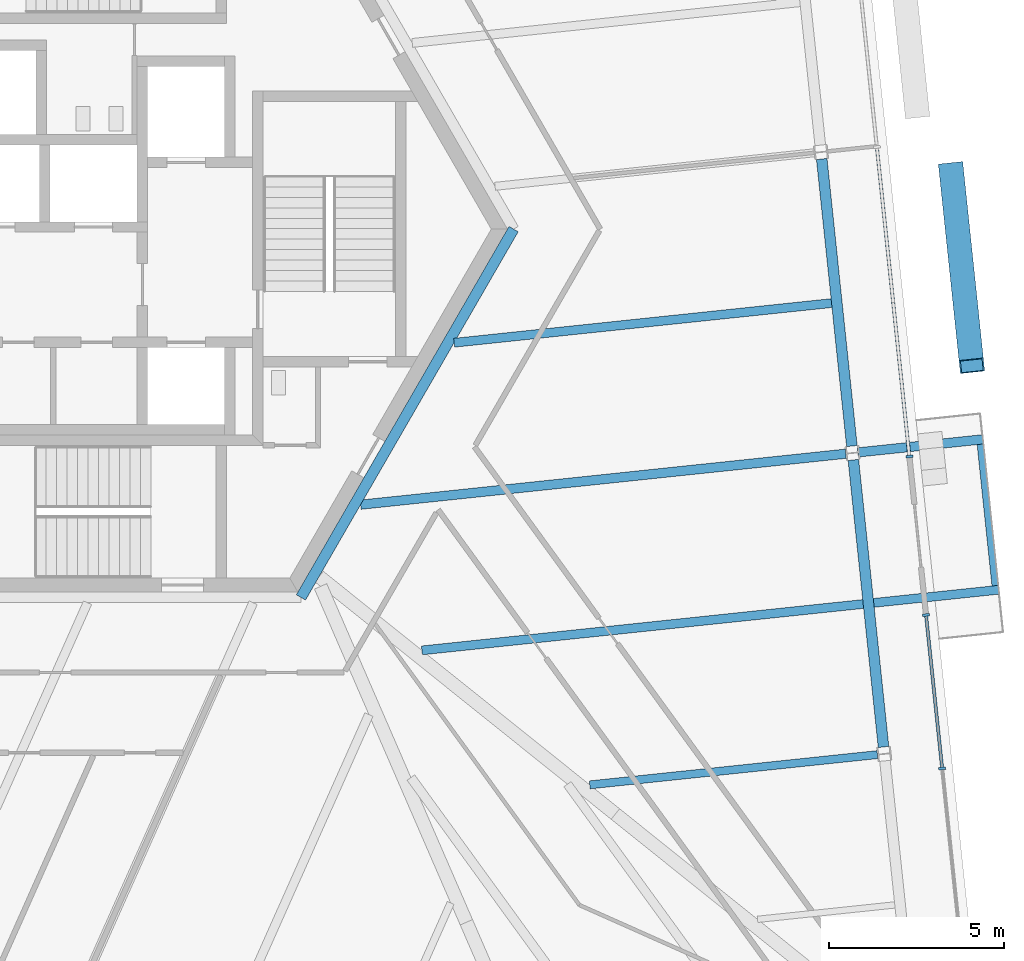
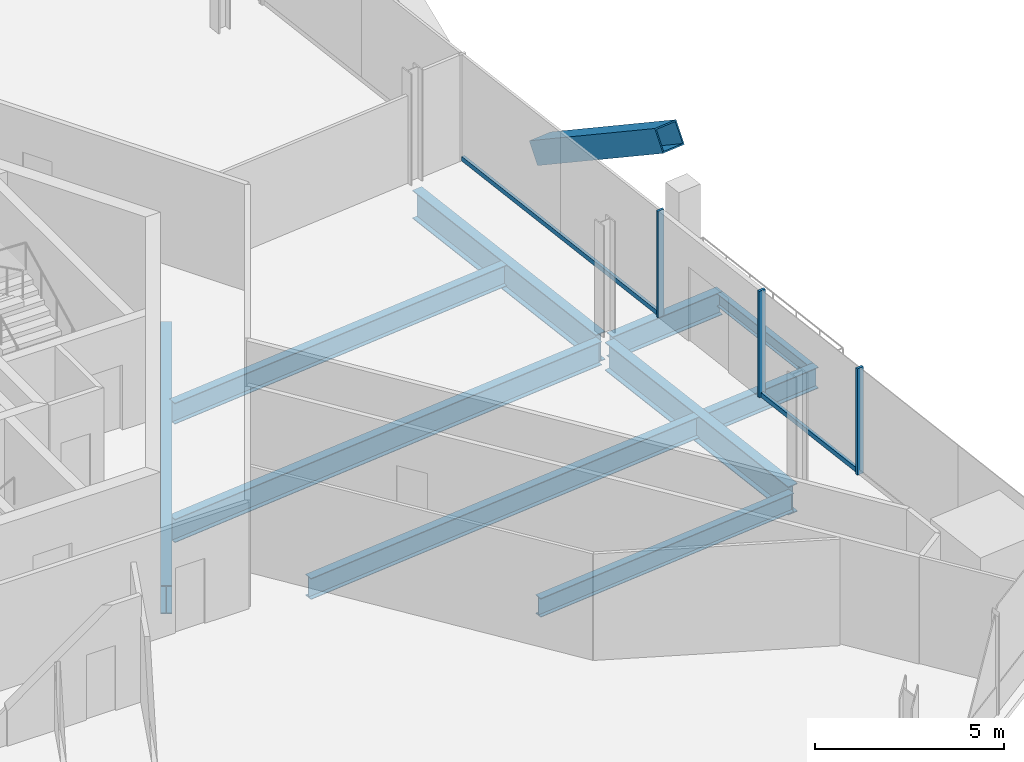
# One storey, part 6 of 19: 10 beams, 6 members, 2 elements without a shape of their own.
"""IFC4 building model written with IfcOpenShell, lengths in metres."""

from ifc_helpers import new_model, si_unit, direction, frame, origin, origin_2d, place, context, subcontext, project, spatial, rectangle, hollow_rectangle, i_section, extrude, source, transform, mapped, material, material_profile, profile_set, type_object, element, aggregate, save


model = new_model("IFC4")

# Units and contexts
model_context = context("Model", 3, precision=1e-05, world=origin(), true_north=direction((0.0, 1.0)))
body_context = subcontext(model_context, "Body", "Model", "MODEL_VIEW")
ifc_project = project(units=[si_unit("LENGTHUNIT", "METRE"), si_unit("AREAUNIT", "SQUARE_METRE"), si_unit("VOLUMEUNIT", "CUBIC_METRE"), si_unit("PLANEANGLEUNIT", "RADIAN"), si_unit("MASSUNIT", "GRAM", prefix="KILO")], contexts=[model_context])

# Site, building, storey
site_placement = place(None, origin())
site = spatial("IfcSite", under=ifc_project, at=site_placement, CompositionType="ELEMENT")
building_placement = place(site_placement, origin())
building = spatial("IfcBuilding", under=site, at=building_placement, Name="Triune Harvest Tower", CompositionType="ELEMENT")
storey_placement = place(building_placement, frame((0.0, 0.0, 76.5)))
storey = spatial("IfcBuildingStorey", under=building, at=storey_placement, Name="L18", CompositionType="ELEMENT", Elevation=76.5)

# Beams
ifc_material_1 = material(Name="Steel ASTM A992 Gr 50", Category="steel")
ifc_material_profile_1 = material_profile(ifc_material_1, i_section(OverallWidth=0.3046875, OverallDepth=0.914306640625, WebThickness=0.0166015625, FlangeThickness=0.02587890625, at=origin_2d()), Name="W36x160")
ifc_profile_set_1 = profile_set([ifc_material_profile_1], Name="Steel ASTM A992 Gr 50")
beam_type_1 = type_object("IfcBeamType", Name="CG-1 Core ring girder W36x160", PredefinedType="BEAM", material=ifc_profile_set_1)
shared_shape_1 = source(origin(), body_context, "Body", "SweptSolid", [
    extrude(i_section(OverallWidth=0.3046875, OverallDepth=0.914306640625, WebThickness=0.0166015625, FlangeThickness=0.02587890625, at=origin_2d()), origin(), (0.0, 0.0, 1.0), 12.176025390625),
])
beam_1_placement = place(storey_placement, frame((6.087890625, -10.544677734375, -0.6171875), z_axis=(0.5000099932, 0.866019634131, 0.0), x_axis=(-0.866019634131, 0.5000099932, 0.0)))
element("IfcBeam", 1, at=beam_1_placement, inside=storey, type_object=beam_type_1, Name="beam/L18/CG6", PredefinedType="BEAM", context=body_context, shape_type="MappedRepresentation", body=[
    mapped(shared_shape_1, transform((0.0, 0.0, 0.0), scale=1.0)),
])
ifc_material_2 = material(Name="Steel ASTM A992 Gr 50", Category="steel")
ifc_material_profile_2 = material_profile(ifc_material_2, i_section(OverallWidth=0.3046875, OverallDepth=0.914306640625, WebThickness=0.0166015625, FlangeThickness=0.02587890625, at=origin_2d()), Name="W36x160")
ifc_profile_set_2 = profile_set([ifc_material_profile_2], Name="Steel ASTM A992 Gr 50")
beam_type_2 = type_object("IfcBeamType", Name="SB-1 Spandrel beam W36x160", PredefinedType="SPANDREL", material=ifc_profile_set_2)
shared_shape_2 = source(origin(), body_context, "Body", "SweptSolid", [
    extrude(i_section(OverallWidth=0.3046875, OverallDepth=0.914306640625, WebThickness=0.0166015625, FlangeThickness=0.02587890625, at=origin_2d()), origin(), (0.0, 0.0, 1.0), 8.26318359375),
])
beam_2_placement = place(storey_placement, frame((22.76708984375, -14.826416015625, -0.6171875), z_axis=(-0.104530986234, 0.994521630191, 0.0), x_axis=(-0.994521630191, -0.104530986234, 0.0)))
element("IfcBeam", 2, at=beam_2_placement, inside=storey, type_object=beam_type_2, Name="beam/L18/SB2", PredefinedType="SPANDREL", context=body_context, shape_type="MappedRepresentation", body=[
    mapped(shared_shape_2, transform((0.0, 0.0, 0.0), scale=1.0)),
])
shared_shape_3 = source(origin(), body_context, "Body", "SweptSolid", [
    extrude(i_section(OverallWidth=0.3046875, OverallDepth=0.914306640625, WebThickness=0.0166015625, FlangeThickness=0.02587890625, at=origin_2d()), origin(), (0.0, 0.0, 1.0), 8.263427734375),
])
beam_3_placement = place(storey_placement, frame((21.861572265625, -6.211669921875, -0.6171875), z_axis=(-0.104527914852, 0.994521953009, 0.0), x_axis=(-0.994521953009, -0.104527914852, 0.0)))
element("IfcBeam", 3, at=beam_3_placement, inside=storey, type_object=beam_type_2, Name="beam/L18/SB3", PredefinedType="SPANDREL", context=body_context, shape_type="MappedRepresentation", body=[
    mapped(shared_shape_3, transform((0.0, 0.0, 0.0), scale=1.0)),
])
ifc_material_3 = material(Name="Steel ASTM A992 Gr 50", Category="steel")
ifc_material_profile_3 = material_profile(ifc_material_3, i_section(OverallWidth=0.22900390625, OverallDepth=0.612060546875, WebThickness=0.011962890625, FlangeThickness=0.01953125, at=origin_2d()), Name="W24x84")
ifc_profile_set_3 = profile_set([ifc_material_profile_3], Name="Steel ASTM A992 Gr 50")
beam_type_3 = type_object("IfcBeamType", Name="JT-3 Floor joist W24x84", PredefinedType="JOIST", material=ifc_profile_set_3)
shared_shape_4 = source(origin(), body_context, "Body", "SweptSolid", [
    extrude(i_section(OverallWidth=0.22900390625, OverallDepth=0.612060546875, WebThickness=0.011962890625, FlangeThickness=0.01953125, at=origin_2d()), origin(), (0.0, 0.0, 1.0), 8.28173828125),
])
beam_4_placement = place(storey_placement, frame((22.592041015625, -15.04541015625, -0.466064453125), z_axis=(-0.994521271652, -0.104534397358, 0.0), x_axis=(0.104534397358, -0.994521271652, 0.0)))
element("IfcBeam", 4, at=beam_4_placement, inside=storey, type_object=beam_type_3, Name="beam/L18/JT2", PredefinedType="JOIST", context=body_context, shape_type="MappedRepresentation", body=[
    mapped(shared_shape_4, transform((0.0, 0.0, 0.0), scale=1.0)),
])
ifc_material_4 = material(Name="Steel ASTM A992 Gr 50", Category="steel")
ifc_material_profile_4 = material_profile(ifc_material_4, i_section(OverallWidth=0.253662109375, OverallDepth=0.683349609375, WebThickness=0.012451171875, FlangeThickness=0.01904296875, at=origin_2d()), Name="W27x94")
ifc_profile_set_4 = profile_set([ifc_material_profile_4], Name="Steel ASTM A992 Gr 50")
beam_type_4 = type_object("IfcBeamType", Name="JT-4 Floor joist W27x94", PredefinedType="JOIST", material=ifc_profile_set_4)
shared_shape_5 = source(origin(), body_context, "Body", "SweptSolid", [
    extrude(i_section(OverallWidth=0.253662109375, OverallDepth=0.683349609375, WebThickness=0.012451171875, FlangeThickness=0.01904296875, at=origin_2d()), origin(), (0.0, 0.0, 1.0), 12.70166015625),
])
beam_5_placement = place(storey_placement, frame((22.18359375, -10.7333984375, -0.501708984375), z_axis=(-0.994522291469, -0.104524694556, 0.0), x_axis=(0.104524694556, -0.994522291469, 0.0)))
element("IfcBeam", 5, at=beam_5_placement, inside=storey, type_object=beam_type_4, Name="beam/L18/JT3", PredefinedType="JOIST", context=body_context, shape_type="MappedRepresentation", body=[
    mapped(shared_shape_5, transform((0.0, 0.0, 0.0), scale=1.0)),
])
ifc_material_5 = material(Name="Steel ASTM A992 Gr 50", Category="steel")
ifc_material_profile_5 = material_profile(ifc_material_5, i_section(OverallWidth=0.2666015625, OverallDepth=0.7568359375, WebThickness=0.013916015625, FlangeThickness=0.019287109375, at=origin_2d()), Name="W30x108")
ifc_profile_set_5 = profile_set([ifc_material_profile_5], Name="Steel ASTM A992 Gr 50")
beam_type_5 = type_object("IfcBeamType", Name="JT-5 Floor joist W30x108", PredefinedType="JOIST", material=ifc_profile_set_5)
shared_shape_6 = source(origin(), body_context, "Body", "SweptSolid", [
    extrude(i_section(OverallWidth=0.2666015625, OverallDepth=0.7568359375, WebThickness=0.013916015625, FlangeThickness=0.019287109375, at=origin_2d()), origin(), (0.0, 0.0, 1.0), 13.966552734375),
])
beam_6_placement = place(storey_placement, frame((21.6865234375, -6.4306640625, -0.53857421875), z_axis=(-0.994523349671, -0.104514625579, 0.0), x_axis=(0.104514625579, -0.994523349671, 0.0)))
element("IfcBeam", 6, at=beam_6_placement, inside=storey, type_object=beam_type_5, Name="beam/L18/JT4", PredefinedType="JOIST", context=body_context, shape_type="MappedRepresentation", body=[
    mapped(shared_shape_6, transform((0.0, 0.0, 0.0), scale=1.0)),
])
shared_shape_7 = source(origin(), body_context, "Body", "SweptSolid", [
    extrude(i_section(OverallWidth=0.253662109375, OverallDepth=0.683349609375, WebThickness=0.012451171875, FlangeThickness=0.01904296875, at=origin_2d()), origin(), (0.0, 0.0, 1.0), 10.864501953125),
])
beam_7_placement = place(storey_placement, frame((21.278076171875, -2.11865234375, -0.501708984375), z_axis=(-0.994523292564, -0.104515168984, 0.0), x_axis=(0.104515168984, -0.994523292564, 0.0)))
element("IfcBeam", 7, at=beam_7_placement, inside=storey, type_object=beam_type_4, Name="beam/L18/JT5", PredefinedType="JOIST", context=body_context, shape_type="MappedRepresentation", body=[
    mapped(shared_shape_7, transform((0.0, 0.0, 0.0), scale=1.0)),
])

# Member
ifc_material_6 = material(Name="Steel ASTM A572 Gr 50", Category="steel")
ifc_material_profile_6 = material_profile(ifc_material_6, hollow_rectangle(XDim=0.699951171875, YDim=0.699951171875, WallThickness=0.0400390625, at=origin_2d()), Name="Box 700x700x40")
ifc_profile_set_6 = profile_set([ifc_material_profile_6], Name="Steel ASTM A572 Gr 50")
member_type_1 = type_object("IfcMemberType", Name="BR-1 Brace Box 700x700x40", PredefinedType="BRACE", material=ifc_profile_set_6)
shared_shape_8 = source(origin(), body_context, "Body", "SweptSolid", [
    extrude(hollow_rectangle(XDim=0.699951171875, YDim=0.699951171875, WallThickness=0.0400390625, at=origin_2d()), origin(), (0.0, 0.0, 1.0), 6.7021484375),
])
member_1_placement = place(storey_placement, frame((24.70458984375, 1.709228515625, 0.0), z_axis=(0.088152496894, -0.838869359908, 0.537147404629), x_axis=(0.994523894921, 0.104509437045, 0.0)))
element("IfcMember", 8, at=member_1_placement, inside=storey, type_object=member_type_1, Name="brace/B2-F1/d2/6", PredefinedType="BRACE", context=body_context, shape_type="MappedRepresentation", body=[
    mapped(shared_shape_8, transform((0.0, 0.0, 0.0), scale=1.0)),
])

# Curtain wall, members
ifc_material_7 = material(Name="Aluminium bronze anodised", Category="aluminium")
curtain_wall_type_1 = type_object("IfcCurtainWallType", Name="CW-6 Balcony window wall", PredefinedType="NOTDEFINED", material=ifc_material_7)
curtain_wall_1_placement = place(storey_placement, origin())
curtain_wall_1 = element("IfcCurtainWall", 9, at=curtain_wall_1_placement, inside=storey, type_object=curtain_wall_type_1, Name="CW-6 B2-F1 L18 run 1")
ifc_material_8 = material(Name="Aluminium bronze anodised", Category="aluminium")
ifc_material_profile_7 = material_profile(ifc_material_8, rectangle(XDim=0.199951171875, YDim=0.074951171875, at=origin_2d()), Name="MU-6 mullion 75 x 200")
ifc_profile_set_7 = profile_set([ifc_material_profile_7], Name="Aluminium bronze anodised")
member_type_2 = type_object("IfcMemberType", Name="MU-6 mullion 75 x 200", PredefinedType="MULLION", material=ifc_profile_set_7)
shared_shape_9 = source(origin(), body_context, "Body", "SweptSolid", [
    extrude(rectangle(XDim=0.199951171875, YDim=0.074951171875, at=origin_2d()), origin(), (0.0, 0.0, 1.0), 3.43994140625),
])
member_2_placement = place(storey_placement, frame((24.44580078125, -15.441650390625, 0.0), z_axis=(0.0, 0.0, 1.0), x_axis=(-0.994521992769, -0.104527536558, 0.0)))
member_2 = element("IfcMember", 10, at=member_2_placement, type_object=member_type_2, Name="CW-6 mullion B2-F1 1.3", PredefinedType="MULLION", context=body_context, shape_type="MappedRepresentation", body=[
    mapped(shared_shape_9, transform((0.0, 0.0, 0.0), scale=1.0)),
])
member_3_placement = place(storey_placement, frame((23.98388671875, -11.0478515625, 0.0), z_axis=(0.0, 0.0, 1.0), x_axis=(-0.994521992769, -0.104527536558, 0.0)))
member_3 = element("IfcMember", 11, at=member_3_placement, type_object=member_type_2, Name="CW-6 mullion B2-F1 1.4", PredefinedType="MULLION", context=body_context, shape_type="MappedRepresentation", body=[
    mapped(shared_shape_9, transform((0.0, 0.0, 0.0), scale=1.0)),
])

# Curtain wall, member
ifc_material_9 = material(Name="Aluminium bronze anodised", Category="aluminium")
curtain_wall_type_2 = type_object("IfcCurtainWallType", Name="CW-10 Balcony window wall with insulated spandrel infill", PredefinedType="NOTDEFINED", material=ifc_material_9)
curtain_wall_2_placement = place(storey_placement, origin())
curtain_wall_2 = element("IfcCurtainWall", 12, at=curtain_wall_2_placement, inside=storey, type_object=curtain_wall_type_2, Name="CW-10 B2-F1 L18 run 2")
member_4_placement = place(storey_placement, frame((23.50732421875, -6.51220703125, 0.0), z_axis=(0.0, 0.0, 1.0), x_axis=(-0.994522156618, -0.104525977613, 0.0)))
member_4 = element("IfcMember", 13, at=member_4_placement, type_object=member_type_2, Name="CW-10 mullion B2-F1 2.1", PredefinedType="MULLION", context=body_context, shape_type="MappedRepresentation", body=[
    mapped(shared_shape_9, transform((0.0, 0.0, 0.0), scale=1.0)),
])

# Member
ifc_material_10 = material(Name="Aluminium bronze anodised", Category="aluminium")
ifc_material_profile_8 = material_profile(ifc_material_10, rectangle(XDim=0.090087890625, YDim=0.14990234375, at=origin_2d()), Name="TR-6 transom 90 x 150")
ifc_profile_set_8 = profile_set([ifc_material_profile_8], Name="Aluminium bronze anodised")
member_type_3 = type_object("IfcMemberType", Name="TR-6 transom 90 x 150", PredefinedType="USERDEFINED", material=ifc_profile_set_8)
shared_shape_10 = source(origin(), body_context, "Body", "SweptSolid", [
    extrude(rectangle(XDim=0.090087890625, YDim=0.14990234375, at=origin_2d()), origin(), (0.0, 0.0, 1.0), 4.34326171875),
])
member_5_placement = place(storey_placement, frame((24.44189453125, -15.404296875, 0.074951171875), z_axis=(-0.104556032951, 0.994518997291, 0.0), x_axis=(-0.994518997291, -0.104556032951, 0.0)))
member_5 = element("IfcMember", 14, at=member_5_placement, type_object=member_type_3, Name="CW-6 transom B2-F1 1.2", ObjectType="TRANSOM", PredefinedType="USERDEFINED", context=body_context, shape_type="MappedRepresentation", body=[
    mapped(shared_shape_10, transform((0.0, 0.0, 0.0), scale=1.0)),
])

aggregate(curtain_wall_1, [member_2, member_3, member_5])

# Beams
ifc_material_11 = material(Name="Steel ASTM A992 Gr 50", Category="steel")
ifc_material_profile_9 = material_profile(ifc_material_11, i_section(OverallWidth=0.253662109375, OverallDepth=0.683349609375, WebThickness=0.012451171875, FlangeThickness=0.01904296875, at=origin_2d()), Name="W27x94")
ifc_profile_set_9 = profile_set([ifc_material_profile_9], Name="Steel ASTM A992 Gr 50")
beam_type_6 = type_object("IfcBeamType", Name="BJ-4 Balcony cantilever joist W27x94", PredefinedType="JOIST", material=ifc_profile_set_9)
shared_shape_11 = source(origin(), body_context, "Body", "SweptSolid", [
    extrude(i_section(OverallWidth=0.253662109375, OverallDepth=0.683349609375, WebThickness=0.012451171875, FlangeThickness=0.01904296875, at=origin_2d()), origin(), (0.0, 0.0, 1.0), 3.59765625),
])
beam_8_placement = place(storey_placement, frame((22.48681640625, -10.701416015625, -0.501708984375), z_axis=(0.994524029685, 0.104508154604, 0.0), x_axis=(-0.104508154604, 0.994524029685, 0.0)))
element("IfcBeam", 15, at=beam_8_placement, inside=storey, type_object=beam_type_6, Name="Balcony cantilever joist B2-F1 L18.4a", PredefinedType="JOIST", context=body_context, shape_type="MappedRepresentation", body=[
    mapped(shared_shape_11, transform((0.0, 0.0, 0.0), scale=1.0)),
])
ifc_material_12 = material(Name="Steel ASTM A992 Gr 50", Category="steel")
ifc_material_profile_10 = material_profile(ifc_material_12, i_section(OverallWidth=0.2666015625, OverallDepth=0.7568359375, WebThickness=0.013916015625, FlangeThickness=0.019287109375, at=origin_2d()), Name="W30x108")
ifc_profile_set_10 = profile_set([ifc_material_profile_10], Name="Steel ASTM A992 Gr 50")
beam_type_7 = type_object("IfcBeamType", Name="BJ-5 Balcony cantilever joist W30x108", PredefinedType="JOIST", material=ifc_profile_set_10)
shared_shape_12 = source(origin(), body_context, "Body", "SweptSolid", [
    extrude(i_section(OverallWidth=0.2666015625, OverallDepth=0.7568359375, WebThickness=0.013916015625, FlangeThickness=0.019287109375, at=origin_2d()), origin(), (0.0, 0.0, 1.0), 3.59765625),
])
beam_9_placement = place(storey_placement, frame((22.033935546875, -6.39404296875, -0.53857421875), z_axis=(0.994524029685, 0.104508154604, 0.0), x_axis=(-0.104508154604, 0.994524029685, 0.0)))
element("IfcBeam", 16, at=beam_9_placement, inside=storey, type_object=beam_type_7, Name="Balcony cantilever joist B2-F1 L18.4b", PredefinedType="JOIST", context=body_context, shape_type="MappedRepresentation", body=[
    mapped(shared_shape_12, transform((0.0, 0.0, 0.0), scale=1.0)),
])
ifc_material_13 = material(Name="Steel ASTM A992 Gr 50", Category="steel")
ifc_material_profile_11 = material_profile(ifc_material_13, i_section(OverallWidth=0.180908203125, OverallDepth=0.41650390625, WebThickness=0.010986328125, FlangeThickness=0.01806640625, at=origin_2d()), Name="W16x57")
ifc_profile_set_11 = profile_set([ifc_material_profile_11], Name="Steel ASTM A992 Gr 50")
beam_type_8 = type_object("IfcBeamType", Name="BE-1 balcony edge beam W16x57", PredefinedType="BEAM", material=ifc_profile_set_11)
shared_shape_13 = source(origin(), body_context, "Body", "SweptSolid", [
    extrude(i_section(OverallWidth=0.180908203125, OverallDepth=0.41650390625, WebThickness=0.010986328125, FlangeThickness=0.01806640625, at=origin_2d()), origin(), (0.0, 0.0, 1.0), 4.07080078125),
])
beam_10_placement = place(storey_placement, frame((25.535888671875, -6.16015625, -0.368408203125), z_axis=(0.1045318127, -0.994521543323, 0.0), x_axis=(0.994521543323, 0.1045318127, 0.0)))
element("IfcBeam", 17, at=beam_10_placement, inside=storey, type_object=beam_type_8, Name="Balcony edge beam B2-F1 L18.4", PredefinedType="BEAM", context=body_context, shape_type="MappedRepresentation", body=[
    mapped(shared_shape_13, transform((0.0, 0.0, 0.0), scale=1.0)),
])

# Member
shared_shape_14 = source(origin(), body_context, "Body", "SweptSolid", [
    extrude(rectangle(XDim=0.090087890625, YDim=0.14990234375, at=origin_2d()), origin(), (0.0, 0.0, 1.0), 8.836181640625),
])
member_6_placement = place(storey_placement, frame((23.503173828125, -6.474853515625, 0.074951171875), z_axis=(-0.104522261316, 0.9945225472, 0.0), x_axis=(-0.9945225472, -0.104522261316, 0.0)))
member_6 = element("IfcMember", 18, at=member_6_placement, type_object=member_type_3, Name="CW-10 transom B2-F1 2.1", ObjectType="TRANSOM", PredefinedType="USERDEFINED", context=body_context, shape_type="MappedRepresentation", body=[
    mapped(shared_shape_14, transform((0.0, 0.0, 0.0), scale=1.0)),
])

aggregate(curtain_wall_2, [member_4, member_6])

save(model, "model.ifc")
